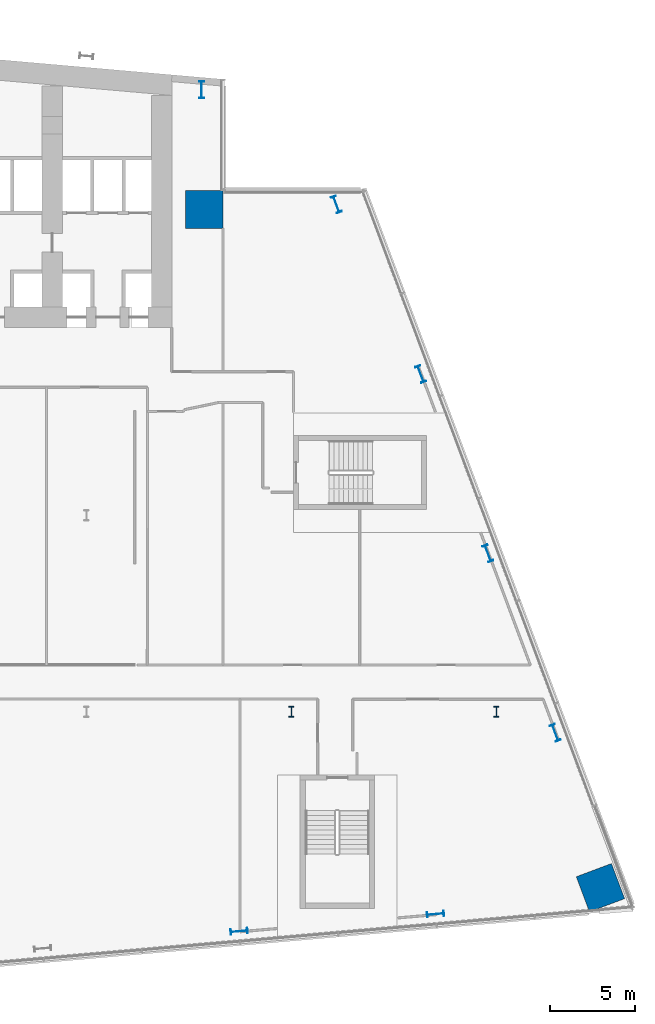
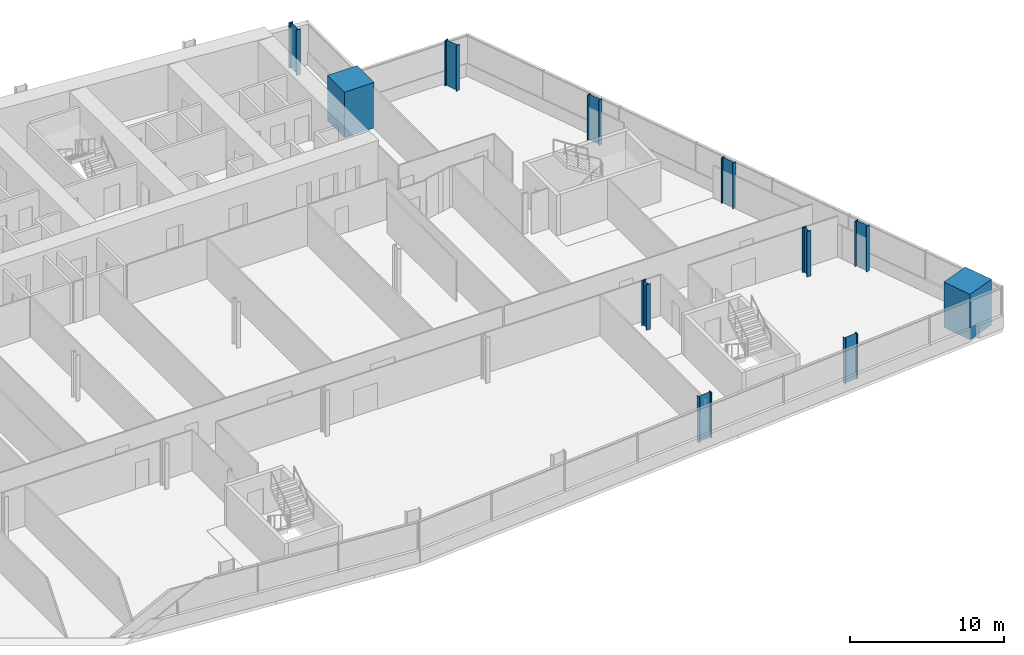
# One storey, part 3 of 24: 11 columns.
"""IFC4 building model written with IfcOpenShell, lengths in metres."""

from ifc_helpers import new_model, si_unit, direction, frame, origin, origin_2d, place, context, subcontext, project, spatial, rectangle, i_section, extrude, material, material_profile, profile_set, type_object, element, save


model = new_model("IFC4")

# Units and contexts
model_context = context("Model", 3, precision=1e-05, world=origin(), true_north=direction((0.0, 1.0)))
body_context = subcontext(model_context, "Body", "Model", "MODEL_VIEW")
ifc_project = project(units=[si_unit("LENGTHUNIT", "METRE"), si_unit("AREAUNIT", "SQUARE_METRE"), si_unit("VOLUMEUNIT", "CUBIC_METRE"), si_unit("PLANEANGLEUNIT", "RADIAN"), si_unit("MASSUNIT", "GRAM", prefix="KILO")], contexts=[model_context])

# Site, building, storey
site_placement = place(None, origin())
site = spatial("IfcSite", under=ifc_project, at=site_placement, CompositionType="ELEMENT")
building_placement = place(site_placement, origin())
building = spatial("IfcBuilding", under=site, at=building_placement, Name="Wharfspan Tower", CompositionType="ELEMENT")
storey_placement = place(building_placement, frame((0.0, 0.0, 41.5)))
storey = spatial("IfcBuildingStorey", under=building, at=storey_placement, Name="L06", CompositionType="ELEMENT", Elevation=41.5)

# Columns
ifc_material_1 = material(Name="Steel S355J2", Category="steel")
ifc_material_profile_1 = material_profile(ifc_material_1, i_section(OverallWidth=0.302002, OverallDepth=1.008057, WebThickness=0.020996, FlangeThickness=0.040039, FilletRadius=0.030029, at=origin_2d()))
ifc_profile_set_1 = profile_set([ifc_material_profile_1], Name="Steel S355J2")
column_type_1 = type_object("IfcColumnType", Name="Column HEM 1000", PredefinedType="COLUMN", material=ifc_profile_set_1)
for number, where, z_axis, x_axis, name in (
    (1, (68.942383, -1.354736, 0.0), (0.0, 0.0, 1.0), (0.087156, -0.996198, 0.0), "Perimeter column PS2.2 L06"),
    (2, (80.442383, -0.348633, 0.0), (0.0, 0.0, 1.0), (0.087156, -0.996198, 0.0), "Perimeter column PS2.3 L06"),
    (3, (87.44458, 10.268311, 0.0), (0.0, 0.0, 1.0), (0.936328, 0.351123, 0.0), "Perimeter column PE.1 L06"),
    (4, (83.50708, 20.768311, 0.0), (0.0, 0.0, 1.0), (0.936328, 0.351123, 0.0), "Perimeter column PE.2 L06"),
    (5, (79.56958, 31.268311, 0.0), (0.0, 0.0, 1.0), (0.936328, 0.351123, 0.0), "Perimeter column PE.3 L06"),
    (6, (74.634277, 41.196289, 0.0), (0.0, 0.0, 1.0), (0.936328, 0.351123, 0.0), "Perimeter column PE.4 L06"),
    (7, (66.747803, 47.915283, 0.0), (0.0, 0.0, 1.0), (1.0, 0.0, 0.0), "Perimeter column PNRE-V.1 L06"),
):
    element("IfcColumn", number, at=place(storey_placement, frame(where, z_axis=z_axis, x_axis=x_axis)), inside=storey, type_object=column_type_1, Name=name, PredefinedType="COLUMN", context=body_context, shape_type="SweptSolid", body=[
        extrude(i_section(OverallWidth=0.302002, OverallDepth=1.008057, WebThickness=0.020996, FlangeThickness=0.040039, FilletRadius=0.030029, at=origin_2d()), origin(), (0.0, 0.0, 1.0), 3.600098),
    ])
ifc_material_profile_2 = material_profile(ifc_material_1, i_section(OverallWidth=0.304932, OverallDepth=0.620117, WebThickness=0.020996, FlangeThickness=0.040039, FilletRadius=0.0271, at=origin_2d()))
ifc_profile_set_2 = profile_set([ifc_material_profile_2], Name="Steel S355J2")
column_type_2 = type_object("IfcColumnType", Name="Column HEM 600", PredefinedType="COLUMN", material=ifc_profile_set_2)
for number, where, z_axis, x_axis, name in (
    (8, (72.0, 11.5, 0.0), (0.0, 0.0, 1.0), (1.0, 0.0, 0.0), "Interior column I.1.6 L06"),
    (9, (84.0, 11.5, 0.0), (0.0, 0.0, 1.0), (1.0, 0.0, 0.0), "Interior column I.1.7 L06"),
):
    element("IfcColumn", number, at=place(storey_placement, frame(where, z_axis=z_axis, x_axis=x_axis)), inside=storey, type_object=column_type_2, Name=name, PredefinedType="COLUMN", context=body_context, shape_type="SweptSolid", body=[
        extrude(i_section(OverallWidth=0.304932, OverallDepth=0.620117, WebThickness=0.020996, FlangeThickness=0.040039, FilletRadius=0.0271, at=origin_2d()), origin(), (0.0, 0.0, 1.0), 3.600098),
    ])
ifc_material_2 = material(Name="Concrete C70/85", Category="concrete")
ifc_material_profile_3 = material_profile(ifc_material_2, rectangle(XDim=2.199951, YDim=2.199951, at=origin_2d()))
ifc_profile_set_3 = profile_set([ifc_material_profile_3], Name="Concrete C70/85")
column_type_3 = type_object("IfcColumnType", Name="Mega column 2200 C70/85", PredefinedType="COLUMN", material=ifc_profile_set_3)
for number, where, z_axis, x_axis, name in (
    (10, (66.899902, 40.899902, 0.0), (0.0, 0.0, 1.0), (1.0, 0.0, 0.0), "Mega column MC3 L06"),
    (11, (90.096436, 1.199707, 0.0), (0.0, 0.0, 1.0), (-0.351123, 0.936328, 0.0), "Mega column MC4 L06"),
):
    element("IfcColumn", number, at=place(storey_placement, frame(where, z_axis=z_axis, x_axis=x_axis)), inside=storey, type_object=column_type_3, Name=name, PredefinedType="COLUMN", context=body_context, shape_type="SweptSolid", body=[
        extrude(rectangle(XDim=2.199951, YDim=2.199951, at=origin_2d()), origin(), (0.0, 0.0, 1.0), 3.600098),
    ])

save(model, "model.ifc")
